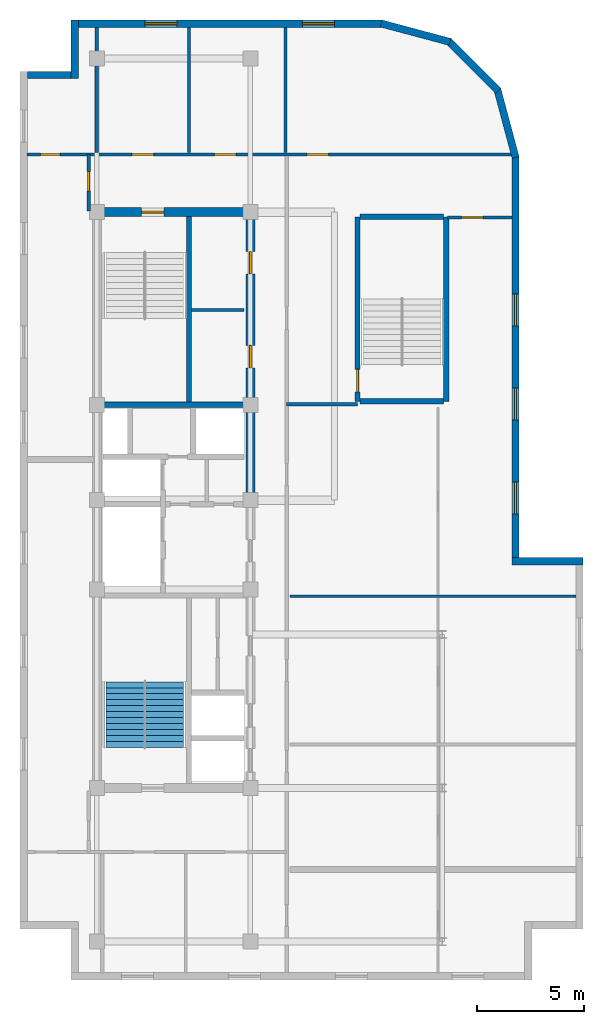
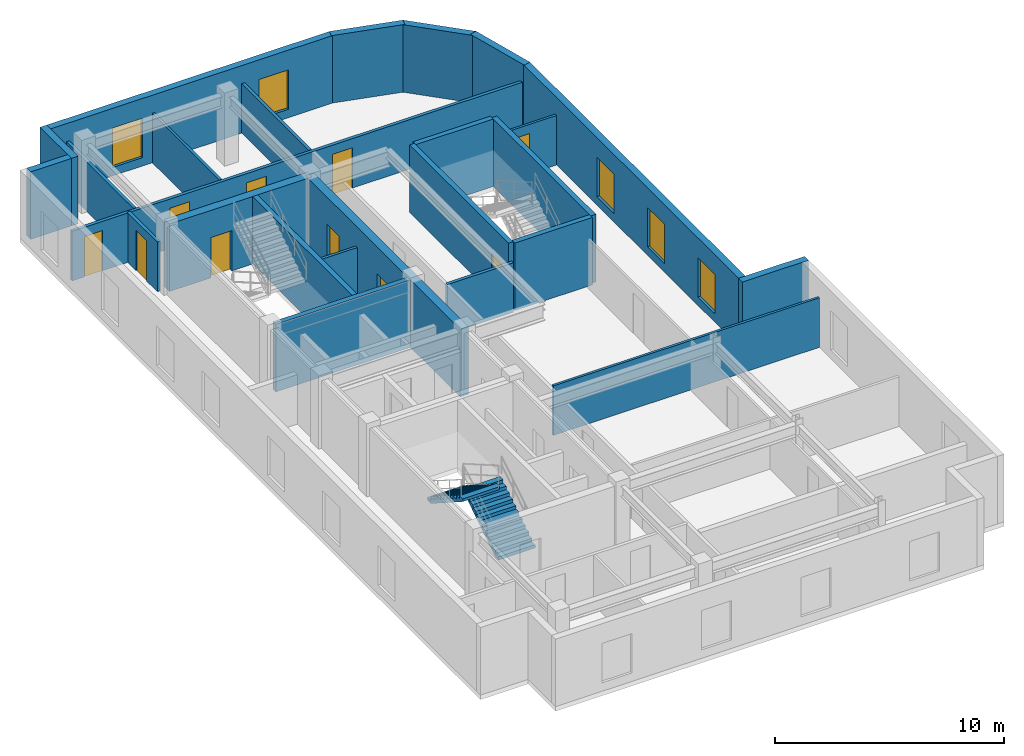
# One storey, part 4 of 6: 25 walls, 10 doors, 5 windows, 2 stair flights, 15 openings, 1 element without a shape of its own.
"""IFC4 building model written with IfcOpenShell, lengths in metres."""

from ifc_helpers import new_model, entity, si_unit, converted_unit, direction, frame, origin_with_axes, origin_2d_with_axis, place, context, subcontext, project, spatial, polyline, rectangle, outline, extrude, material, layer, layer_set, type_object, element, fill, aggregate, save


model = new_model("IFC4")

# Units and contexts
model_context = context("Model", 3, precision=1e-05, world=origin_with_axes(), true_north=direction((0.0, 1.0)))
body_context = subcontext(model_context, "Body", "Model", "MODEL_VIEW")
ifc_project = project(units=[si_unit("LENGTHUNIT", "METRE"), si_unit("AREAUNIT", "SQUARE_METRE"), si_unit("VOLUMEUNIT", "CUBIC_METRE"), converted_unit("PLANEANGLEUNIT", "DEGREE", entity("IfcPlaneAngleMeasure", 0.017453292519943295), si_unit("PLANEANGLEUNIT", "RADIAN"), dimensions=[0, 0, 0, 0, 0, 0, 0]), si_unit("MASSUNIT", "GRAM", prefix="KILO"), si_unit("THERMODYNAMICTEMPERATUREUNIT", "KELVIN")], contexts=[model_context])

# Site, building, storey
site_placement = place(None, origin_with_axes())
site = spatial("IfcSite", under=ifc_project, at=site_placement, CompositionType="ELEMENT")
building_placement = place(site_placement, origin_with_axes())
building = spatial("IfcBuilding", under=site, at=building_placement, Name="Varnlund Millrace Tower", CompositionType="ELEMENT")
storey_placement = place(building_placement, frame((0.0, 0.0, 299.7), z_axis=(0.0, 0.0, 1.0), x_axis=(1.0, 0.0, 0.0)))
storey = spatial("IfcBuildingStorey", under=building, at=storey_placement, Name="L74", CompositionType="ELEMENT", Elevation=299.7)

# Wall, opening, door
ifc_material_1 = material(Name="Concrete C60/75", Category="concrete")
ifc_layer_1 = layer(ifc_material_1, 0.42, Name="Concrete C60/75")
ifc_layer_set_1 = layer_set([ifc_layer_1], Name="Concrete C60/75")
wall_type_1 = type_object("IfcWallType", Name="Type-CoreWall-Shear-420-C60", PredefinedType="SHEAR", material=ifc_layer_set_1)
wall_1_placement = place(storey_placement, frame((11.4, 37.8, 0.0), z_axis=(0.0, 0.0, 1.0), x_axis=(1.0, 0.0, 0.0)))
wall_1 = element("IfcWall", 1, at=wall_1_placement, inside=storey, type_object=wall_type_1, Name="Type-CoreWall-Shear-420-C60", PredefinedType="SHEAR", context=body_context, shape_type="SweptSolid", body=[
    extrude(outline(polyline([(0.0, -0.21), (7.2, -0.21), (7.2, 0.21), (0.0, 0.21), (0.0, -0.21)])), origin_with_axes(), (0.0, 0.0, 1.0), 3.6),
])
opening_1_placement = place(wall_1_placement, frame((2.625, 0.0, 0.0), z_axis=(0.0, 0.0, 1.0), x_axis=(1.0, 0.0, 0.0)))
opening_1 = element("IfcOpeningElement", 2, at=opening_1_placement, cuts=wall_1, Name="Opening L74:DR-STA2", PredefinedType="OPENING", context=body_context, shape_type="SweptSolid", body=[
    extrude(rectangle(XDim=1.05, YDim=0.44, at=origin_2d_with_axis()), origin_with_axes(), (0.0, 0.0, 1.0), 2.15),
])
ifc_material_2 = material(Name="Fire-rated hollow steel door", Category="steel")
door_type_1 = type_object("IfcDoorType", Name="Type-FireDoor-Stair-1050X2150", OperationType="NOTDEFINED", PredefinedType="DOOR", material=ifc_material_2)
door_1_placement = place(wall_1_placement, frame((2.625, 0.0, 0.0), z_axis=(0.0, 0.0, 1.0), x_axis=(1.0, 0.0, 0.0)))
door_1 = element("IfcDoor", 3, at=door_1_placement, inside=storey, type_object=door_type_1, Name="Type-FireDoor-Stair-1050X2150", OperationType="SINGLE_SWING_RIGHT", OverallHeight=2.15, OverallWidth=1.05, PredefinedType="DOOR", context=body_context, shape_type="SweptSolid", body=[
    extrude(rectangle(XDim=1.05, YDim=0.09, at=origin_2d_with_axis()), origin_with_axes(), (0.0, 0.0, 1.0), 2.15),
])
fill(opening_1, door_1)

# Wall, openings, doors
wall_2_placement = place(storey_placement, frame((18.6, 24.3, 0.0), z_axis=(0.0, 0.0, 1.0), x_axis=(0.0, 1.0, 0.0)))
wall_2 = element("IfcWall", 4, at=wall_2_placement, inside=storey, type_object=wall_type_1, Name="Type-CoreWall-Shear-420-C60", PredefinedType="SHEAR", context=body_context, shape_type="SweptSolid", body=[
    extrude(outline(polyline([(0.0, -0.21), (13.5, -0.21), (13.5, 0.21), (0.0, 0.21), (0.0, -0.21)])), origin_with_axes(), (0.0, 0.0, 1.0), 3.6),
])
opening_2_placement = place(wall_2_placement, frame((6.725, 0.0, 0.0), z_axis=(0.0, 0.0, 1.0), x_axis=(1.0, 0.0, 0.0)))
opening_2 = element("IfcOpeningElement", 5, at=opening_2_placement, cuts=wall_2, Name="Opening L74:DR-RECL-M1", PredefinedType="OPENING", context=body_context, shape_type="SweptSolid", body=[
    extrude(rectangle(XDim=1.05, YDim=0.44, at=origin_2d_with_axis()), origin_with_axes(), (0.0, 0.0, 1.0), 2.15),
])
opening_3_placement = place(wall_2_placement, frame((11.125, 0.0, 0.0), z_axis=(0.0, 0.0, 1.0), x_axis=(1.0, 0.0, 0.0)))
opening_3 = element("IfcOpeningElement", 6, at=opening_3_placement, cuts=wall_2, Name="Opening L74:DR-RECL-M2", PredefinedType="OPENING", context=body_context, shape_type="SweptSolid", body=[
    extrude(rectangle(XDim=1.05, YDim=0.44, at=origin_2d_with_axis()), origin_with_axes(), (0.0, 0.0, 1.0), 2.15),
])
ifc_material_3 = material(Name="Smoke-barrier hollow steel fire door", Category="steel")
door_type_2 = type_object("IfcDoorType", Name="Type-FireDoor-Lobby-1050X2150", OperationType="NOTDEFINED", PredefinedType="DOOR", material=ifc_material_3)
door_2_placement = place(wall_2_placement, frame((6.725, 0.0, 0.0), z_axis=(0.0, 0.0, 1.0), x_axis=(1.0, 0.0, 0.0)))
door_2 = element("IfcDoor", 7, at=door_2_placement, inside=storey, type_object=door_type_2, Name="Type-FireDoor-Lobby-1050X2150", OperationType="SINGLE_SWING_LEFT", OverallHeight=2.15, OverallWidth=1.05, PredefinedType="DOOR", context=body_context, shape_type="SweptSolid", body=[
    extrude(rectangle(XDim=1.05, YDim=0.09, at=origin_2d_with_axis()), origin_with_axes(), (0.0, 0.0, 1.0), 2.15),
])
fill(opening_2, door_2)
door_3_placement = place(wall_2_placement, frame((11.125, 0.0, 0.0), z_axis=(0.0, 0.0, 1.0), x_axis=(1.0, 0.0, 0.0)))
door_3 = element("IfcDoor", 8, at=door_3_placement, inside=storey, type_object=door_type_2, Name="Type-FireDoor-Lobby-1050X2150", OperationType="SINGLE_SWING_RIGHT", OverallHeight=2.15, OverallWidth=1.05, PredefinedType="DOOR", context=body_context, shape_type="SweptSolid", body=[
    extrude(rectangle(XDim=1.05, YDim=0.09, at=origin_2d_with_axis()), origin_with_axes(), (0.0, 0.0, 1.0), 2.15),
])
fill(opening_3, door_3)

# Walls
ifc_material_4 = material(Name="Precast concrete C50/60", Category="concrete")
ifc_layer_2 = layer(ifc_material_4, 0.34, Name="Precast concrete C50/60")
ifc_layer_set_2 = layer_set([ifc_layer_2], Name="Precast concrete C50/60")
wall_type_2 = type_object("IfcWallType", Name="Type-ExtWall-Precast-Upper-340", PredefinedType="SOLIDWALL", material=ifc_layer_set_2)
wall_3_placement = place(storey_placement, frame((8.14, 44.23, 0.0), z_axis=(0.0, 0.0, 1.0), x_axis=(1.0, 0.0, 0.0)))
element("IfcWall", 9, at=wall_3_placement, inside=storey, type_object=wall_type_2, Name="Type-ExtWall-Precast-Upper-340", PredefinedType="SOLIDWALL", context=body_context, shape_type="SweptSolid", body=[
    extrude(outline(polyline([(0.0, -0.17), (2.06, -0.17), (2.06, 0.17), (0.0, 0.17), (0.0, -0.17)])), origin_with_axes(), (0.0, 0.0, 1.0), 3.6),
])
wall_4_placement = place(storey_placement, frame((10.37, 44.06, 0.0), z_axis=(0.0, 0.0, 1.0), x_axis=(0.0, 1.0, 0.0)))
element("IfcWall", 10, at=wall_4_placement, inside=storey, type_object=wall_type_2, Name="Type-ExtWall-Precast-Upper-340", PredefinedType="SOLIDWALL", context=body_context, shape_type="SweptSolid", body=[
    extrude(outline(polyline([(0.0, -0.17), (2.74, -0.17), (2.74, 0.17), (0.0, 0.17), (0.0, -0.17)])), origin_with_axes(), (0.0, 0.0, 1.0), 3.6),
])

# Wall, openings, windows
wall_5_placement = place(storey_placement, frame((10.54, 46.63, 0.0), z_axis=(0.0, 0.0, 1.0), x_axis=(1.0, 0.0, 0.0)))
wall_5 = element("IfcWall", 11, at=wall_5_placement, inside=storey, type_object=wall_type_2, Name="Type-ExtWall-Precast-Upper-340", PredefinedType="SOLIDWALL", context=body_context, shape_type="SweptSolid", body=[
    extrude(outline(polyline([(0.0, -0.17), (14.26, -0.17), (14.26, 0.17), (0.0, 0.17), (0.0, -0.17)])), origin_with_axes(), (0.0, 0.0, 1.0), 3.6),
])
opening_4_placement = place(wall_5_placement, frame((3.865, 0.0, 0.45), z_axis=(0.0, 0.0, 1.0), x_axis=(1.0, 0.0, 0.0)))
opening_4 = element("IfcOpeningElement", 12, at=opening_4_placement, cuts=wall_5, Name="Opening L74:WN-12", PredefinedType="OPENING", context=body_context, shape_type="SweptSolid", body=[
    extrude(rectangle(XDim=1.5, YDim=0.36, at=origin_2d_with_axis()), origin_with_axes(), (0.0, 0.0, 1.0), 2.1),
])
opening_5_placement = place(wall_5_placement, frame((11.245, 0.0, 0.45), z_axis=(0.0, 0.0, 1.0), x_axis=(1.0, 0.0, 0.0)))
opening_5 = element("IfcOpeningElement", 13, at=opening_5_placement, cuts=wall_5, Name="Opening L74:WN-13", PredefinedType="OPENING", context=body_context, shape_type="SweptSolid", body=[
    extrude(rectangle(XDim=1.5, YDim=0.36, at=origin_2d_with_axis()), origin_with_axes(), (0.0, 0.0, 1.0), 2.1),
])
ifc_material_5 = material(Name="Argon low-e triple glazing in thermally broken bronze frame", Category="glass")
window_type = type_object("IfcWindowType", Name="Type-Window-Punched-1500X2100", PartitioningType="SINGLE_PANEL", PredefinedType="WINDOW", material=ifc_material_5)
window_1_placement = place(wall_5_placement, frame((3.865, 0.0, 0.45), z_axis=(0.0, 0.0, 1.0), x_axis=(1.0, 0.0, 0.0)))
window_1 = element("IfcWindow", 14, at=window_1_placement, inside=storey, type_object=window_type, Name="Type-Window-Punched-1500X2100", OverallHeight=2.1, OverallWidth=1.5, PredefinedType="WINDOW", context=body_context, shape_type="SweptSolid", body=[
    extrude(rectangle(XDim=1.5, YDim=0.09, at=origin_2d_with_axis()), origin_with_axes(), (0.0, 0.0, 1.0), 2.1),
])
fill(opening_4, window_1)
window_2_placement = place(wall_5_placement, frame((11.245, 0.0, 0.45), z_axis=(0.0, 0.0, 1.0), x_axis=(1.0, 0.0, 0.0)))
window_2 = element("IfcWindow", 15, at=window_2_placement, inside=storey, type_object=window_type, Name="Type-Window-Punched-1500X2100", OverallHeight=2.1, OverallWidth=1.5, PredefinedType="WINDOW", context=body_context, shape_type="SweptSolid", body=[
    extrude(rectangle(XDim=1.5, YDim=0.09, at=origin_2d_with_axis()), origin_with_axes(), (0.0, 0.0, 1.0), 2.1),
])
fill(opening_5, window_2)

# Walls
wall_6_placement = place(storey_placement, frame((24.737, 46.641, 0.0), z_axis=(0.0, 0.0, 1.0), x_axis=(0.965965, -0.258671, 0.0)))
element("IfcWall", 16, at=wall_6_placement, inside=storey, type_object=wall_type_2, Name="Type-ExtWall-Precast-Upper-340", PredefinedType="SOLIDWALL", context=body_context, shape_type="SweptSolid", body=[
    extrude(outline(polyline([(0.0, -0.17), (3.332417, -0.17), (3.332417, 0.17), (0.0, 0.17), (0.0, -0.17)])), origin_with_axes(), (0.0, 0.0, 1.0), 3.6),
])
wall_7_placement = place(storey_placement, frame((27.866, 45.837, 0.0), z_axis=(0.0, 0.0, 1.0), x_axis=(0.707107, -0.707107, 0.0)))
element("IfcWall", 17, at=wall_7_placement, inside=storey, type_object=wall_type_2, Name="Type-ExtWall-Precast-Upper-340", PredefinedType="SOLIDWALL", context=body_context, shape_type="SweptSolid", body=[
    extrude(outline(polyline([(0.0, -0.17), (3.333301, -0.17), (3.333301, 0.17), (0.0, 0.17), (0.0, -0.17)])), origin_with_axes(), (0.0, 0.0, 1.0), 3.6),
])
wall_8_placement = place(storey_placement, frame((30.174, 43.575, 0.0), z_axis=(0.0, 0.0, 1.0), x_axis=(0.258671, -0.965965, 0.0)))
element("IfcWall", 18, at=wall_8_placement, inside=storey, type_object=wall_type_2, Name="Type-ExtWall-Precast-Upper-340", PredefinedType="SOLIDWALL", context=body_context, shape_type="SweptSolid", body=[
    extrude(outline(polyline([(0.0, -0.17), (3.332417, -0.17), (3.332417, 0.17), (0.0, 0.17), (0.0, -0.17)])), origin_with_axes(), (0.0, 0.0, 1.0), 3.6),
])

# Wall, openings, windows
wall_9_placement = place(storey_placement, frame((31.03, 40.42, 0.0), z_axis=(0.0, 0.0, 1.0), x_axis=(0.0, -1.0, 0.0)))
wall_9 = element("IfcWall", 19, at=wall_9_placement, inside=storey, type_object=wall_type_2, Name="Type-ExtWall-Precast-Upper-340", PredefinedType="SOLIDWALL", context=body_context, shape_type="SweptSolid", body=[
    extrude(outline(polyline([(0.0, -0.17), (18.82, -0.17), (18.82, 0.17), (0.0, 0.17), (0.0, -0.17)])), origin_with_axes(), (0.0, 0.0, 1.0), 3.6),
])
opening_6_placement = place(wall_9_placement, frame((7.207, 0.0, 0.45), z_axis=(0.0, 0.0, 1.0), x_axis=(1.0, 0.0, 0.0)))
opening_6 = element("IfcOpeningElement", 20, at=opening_6_placement, cuts=wall_9, Name="Opening L74:WN-14", PredefinedType="OPENING", context=body_context, shape_type="SweptSolid", body=[
    extrude(rectangle(XDim=1.5, YDim=0.36, at=origin_2d_with_axis()), origin_with_axes(), (0.0, 0.0, 1.0), 2.1),
])
opening_7_placement = place(wall_9_placement, frame((11.613, 0.0, 0.45), z_axis=(0.0, 0.0, 1.0), x_axis=(1.0, 0.0, 0.0)))
opening_7 = element("IfcOpeningElement", 21, at=opening_7_placement, cuts=wall_9, Name="Opening L74:WN-15", PredefinedType="OPENING", context=body_context, shape_type="SweptSolid", body=[
    extrude(rectangle(XDim=1.5, YDim=0.36, at=origin_2d_with_axis()), origin_with_axes(), (0.0, 0.0, 1.0), 2.1),
])
opening_8_placement = place(wall_9_placement, frame((16.018, 0.0, 0.45), z_axis=(0.0, 0.0, 1.0), x_axis=(1.0, 0.0, 0.0)))
opening_8 = element("IfcOpeningElement", 22, at=opening_8_placement, cuts=wall_9, Name="Opening L74:WN-16", PredefinedType="OPENING", context=body_context, shape_type="SweptSolid", body=[
    extrude(rectangle(XDim=1.5, YDim=0.36, at=origin_2d_with_axis()), origin_with_axes(), (0.0, 0.0, 1.0), 2.1),
])
window_3_placement = place(wall_9_placement, frame((7.207, 0.0, 0.45), z_axis=(0.0, 0.0, 1.0), x_axis=(1.0, 0.0, 0.0)))
window_3 = element("IfcWindow", 23, at=window_3_placement, inside=storey, type_object=window_type, Name="Type-Window-Punched-1500X2100", OverallHeight=2.1, OverallWidth=1.5, PredefinedType="WINDOW", context=body_context, shape_type="SweptSolid", body=[
    extrude(rectangle(XDim=1.5, YDim=0.09, at=origin_2d_with_axis()), origin_with_axes(), (0.0, 0.0, 1.0), 2.1),
])
fill(opening_6, window_3)
window_4_placement = place(wall_9_placement, frame((11.613, 0.0, 0.45), z_axis=(0.0, 0.0, 1.0), x_axis=(1.0, 0.0, 0.0)))
window_4 = element("IfcWindow", 24, at=window_4_placement, inside=storey, type_object=window_type, Name="Type-Window-Punched-1500X2100", OverallHeight=2.1, OverallWidth=1.5, PredefinedType="WINDOW", context=body_context, shape_type="SweptSolid", body=[
    extrude(rectangle(XDim=1.5, YDim=0.09, at=origin_2d_with_axis()), origin_with_axes(), (0.0, 0.0, 1.0), 2.1),
])
fill(opening_7, window_4)
window_5_placement = place(wall_9_placement, frame((16.018, 0.0, 0.45), z_axis=(0.0, 0.0, 1.0), x_axis=(1.0, 0.0, 0.0)))
window_5 = element("IfcWindow", 25, at=window_5_placement, inside=storey, type_object=window_type, Name="Type-Window-Punched-1500X2100", OverallHeight=2.1, OverallWidth=1.5, PredefinedType="WINDOW", context=body_context, shape_type="SweptSolid", body=[
    extrude(rectangle(XDim=1.5, YDim=0.09, at=origin_2d_with_axis()), origin_with_axes(), (0.0, 0.0, 1.0), 2.1),
])
fill(opening_8, window_5)

# Wall
wall_10_placement = place(storey_placement, frame((30.86, 21.43, 0.0), z_axis=(0.0, 0.0, 1.0), x_axis=(1.0, 0.0, 0.0)))
element("IfcWall", 26, at=wall_10_placement, inside=storey, type_object=wall_type_2, Name="Type-ExtWall-Precast-Upper-340", PredefinedType="SOLIDWALL", context=body_context, shape_type="SweptSolid", body=[
    extrude(outline(polyline([(0.0, -0.17), (3.34, -0.17), (3.34, 0.17), (0.0, 0.17), (0.0, -0.17)])), origin_with_axes(), (0.0, 0.0, 1.0), 3.6),
])

# Wall, openings, doors
ifc_material_6 = material(Name="Fire-rated gypsum board on cold-formed steel framing", Category="steel")
ifc_layer_3 = layer(ifc_material_6, 0.16, Name="Fire-rated gypsum board on cold-formed steel framing")
ifc_layer_set_3 = layer_set([ifc_layer_3], Name="Fire-rated gypsum board on cold-formed steel framing")
wall_type_3 = type_object("IfcWallType", Name="Type-Partition-Corridor-160", PredefinedType="PARTITIONING", material=ifc_layer_set_3)
wall_11_placement = place(storey_placement, frame((8.135, 40.5, 0.0), z_axis=(0.0, 0.0, 1.0), x_axis=(1.0, 0.0, 0.0)))
wall_11 = element("IfcWall", 27, at=wall_11_placement, inside=storey, type_object=wall_type_3, Name="Type-Partition-Corridor-160", PredefinedType="PARTITIONING", context=body_context, shape_type="SweptSolid", body=[
    extrude(outline(polyline([(0.0, -0.08), (22.715, -0.08), (22.715, 0.08), (0.0, 0.08), (0.0, -0.08)])), origin_with_axes(), (0.0, 0.0, 1.0), 2.64),
])
opening_9_placement = place(wall_11_placement, frame((1.08, 0.0, 0.0), z_axis=(0.0, 0.0, 1.0), x_axis=(1.0, 0.0, 0.0)))
opening_9 = element("IfcOpeningElement", 28, at=opening_9_placement, cuts=wall_11, Name="Opening L74:DR-WAN-01", PredefinedType="OPENING", context=body_context, shape_type="SweptSolid", body=[
    extrude(rectangle(XDim=0.9, YDim=0.18, at=origin_2d_with_axis()), origin_with_axes(), (0.0, 0.0, 1.0), 2.15),
])
opening_10_placement = place(wall_11_placement, frame((5.425, 0.0, 0.0), z_axis=(0.0, 0.0, 1.0), x_axis=(1.0, 0.0, 0.0)))
opening_10 = element("IfcOpeningElement", 29, at=opening_10_placement, cuts=wall_11, Name="Opening L74:DR-WAN-02", PredefinedType="OPENING", context=body_context, shape_type="SweptSolid", body=[
    extrude(rectangle(XDim=1.0, YDim=0.18, at=origin_2d_with_axis()), origin_with_axes(), (0.0, 0.0, 1.0), 2.15),
])
opening_11_placement = place(wall_11_placement, frame((9.286, 0.0, 0.0), z_axis=(0.0, 0.0, 1.0), x_axis=(1.0, 0.0, 0.0)))
opening_11 = element("IfcOpeningElement", 30, at=opening_11_placement, cuts=wall_11, Name="Opening L74:DR-WAN-03", PredefinedType="OPENING", context=body_context, shape_type="SweptSolid", body=[
    extrude(rectangle(XDim=1.0, YDim=0.18, at=origin_2d_with_axis()), origin_with_axes(), (0.0, 0.0, 1.0), 2.15),
])
opening_12_placement = place(wall_11_placement, frame((13.621, 0.0, 0.0), z_axis=(0.0, 0.0, 1.0), x_axis=(1.0, 0.0, 0.0)))
opening_12 = element("IfcOpeningElement", 31, at=opening_12_placement, cuts=wall_11, Name="Opening L74:DR-WAN-04", PredefinedType="OPENING", context=body_context, shape_type="SweptSolid", body=[
    extrude(rectangle(XDim=1.0, YDim=0.18, at=origin_2d_with_axis()), origin_with_axes(), (0.0, 0.0, 1.0), 2.15),
])
ifc_material_7 = material(Name="Painted steel riser and closet door", Category="steel")
door_type_3 = type_object("IfcDoorType", Name="Type-IntDoor-Closet-900X2150", OperationType="NOTDEFINED", PredefinedType="DOOR", material=ifc_material_7)
door_4_placement = place(wall_11_placement, frame((1.08, 0.0, 0.0), z_axis=(0.0, 0.0, 1.0), x_axis=(1.0, 0.0, 0.0)))
door_4 = element("IfcDoor", 32, at=door_4_placement, inside=storey, type_object=door_type_3, Name="Type-IntDoor-Closet-900X2150", OperationType="SINGLE_SWING_LEFT", OverallHeight=2.15, OverallWidth=0.9, PredefinedType="DOOR", context=body_context, shape_type="SweptSolid", body=[
    extrude(rectangle(XDim=0.9, YDim=0.09, at=origin_2d_with_axis()), origin_with_axes(), (0.0, 0.0, 1.0), 2.15),
])
fill(opening_9, door_4)
ifc_material_8 = material(Name="Solid-core white oak and bronze frame door")
door_type_4 = type_object("IfcDoorType", Name="Type-IntDoor-Office-1000X2150", OperationType="NOTDEFINED", PredefinedType="DOOR", material=ifc_material_8)
door_5_placement = place(wall_11_placement, frame((5.425, 0.0, 0.0), z_axis=(0.0, 0.0, 1.0), x_axis=(1.0, 0.0, 0.0)))
door_5 = element("IfcDoor", 33, at=door_5_placement, inside=storey, type_object=door_type_4, Name="Type-IntDoor-Office-1000X2150", OperationType="SINGLE_SWING_RIGHT", OverallHeight=2.15, OverallWidth=1.0, PredefinedType="DOOR", context=body_context, shape_type="SweptSolid", body=[
    extrude(rectangle(XDim=1.0, YDim=0.09, at=origin_2d_with_axis()), origin_with_axes(), (0.0, 0.0, 1.0), 2.15),
])
fill(opening_10, door_5)
door_6_placement = place(wall_11_placement, frame((9.286, 0.0, 0.0), z_axis=(0.0, 0.0, 1.0), x_axis=(1.0, 0.0, 0.0)))
door_6 = element("IfcDoor", 34, at=door_6_placement, inside=storey, type_object=door_type_4, Name="Type-IntDoor-Office-1000X2150", OperationType="SINGLE_SWING_LEFT", OverallHeight=2.15, OverallWidth=1.0, PredefinedType="DOOR", context=body_context, shape_type="SweptSolid", body=[
    extrude(rectangle(XDim=1.0, YDim=0.09, at=origin_2d_with_axis()), origin_with_axes(), (0.0, 0.0, 1.0), 2.15),
])
fill(opening_11, door_6)
door_7_placement = place(wall_11_placement, frame((13.621, 0.0, 0.0), z_axis=(0.0, 0.0, 1.0), x_axis=(1.0, 0.0, 0.0)))
door_7 = element("IfcDoor", 35, at=door_7_placement, inside=storey, type_object=door_type_4, Name="Type-IntDoor-Office-1000X2150", OperationType="SINGLE_SWING_RIGHT", OverallHeight=2.15, OverallWidth=1.0, PredefinedType="DOOR", context=body_context, shape_type="SweptSolid", body=[
    extrude(rectangle(XDim=1.0, YDim=0.09, at=origin_2d_with_axis()), origin_with_axes(), (0.0, 0.0, 1.0), 2.15),
])
fill(opening_12, door_7)

# Wall
wall_12_placement = place(storey_placement, frame((20.3, 28.8, 0.0), z_axis=(0.0, 0.0, 1.0), x_axis=(1.0, 0.0, 0.0)))
element("IfcWall", 36, at=wall_12_placement, inside=storey, type_object=wall_type_3, Name="Type-Partition-Corridor-160", PredefinedType="PARTITIONING", context=body_context, shape_type="SweptSolid", body=[
    extrude(outline(polyline([(0.0, -0.08), (3.32, -0.08), (3.32, 0.08), (0.0, 0.08), (0.0, -0.08)])), origin_with_axes(), (0.0, 0.0, 1.0), 2.64),
])

# Wall, opening, door
wall_13_placement = place(storey_placement, frame((11.02, 37.85, 0.0), z_axis=(0.0, 0.0, 1.0), x_axis=(0.0, 1.0, 0.0)))
wall_13 = element("IfcWall", 37, at=wall_13_placement, inside=storey, type_object=wall_type_3, Name="Type-Partition-Corridor-160", PredefinedType="PARTITIONING", context=body_context, shape_type="SweptSolid", body=[
    extrude(outline(polyline([(0.0, -0.08), (2.65, -0.08), (2.65, 0.08), (0.0, 0.08), (0.0, -0.08)])), origin_with_axes(), (0.0, 0.0, 1.0), 2.64),
])
opening_13_placement = place(wall_13_placement, frame((1.4, 0.0, 0.0), z_axis=(0.0, 0.0, 1.0), x_axis=(1.0, 0.0, 0.0)))
opening_13 = element("IfcOpeningElement", 38, at=opening_13_placement, cuts=wall_13, Name="Opening L74:DR-WU-N1", PredefinedType="OPENING", context=body_context, shape_type="SweptSolid", body=[
    extrude(rectangle(XDim=0.9, YDim=0.18, at=origin_2d_with_axis()), origin_with_axes(), (0.0, 0.0, 1.0), 2.15),
])
door_8_placement = place(wall_13_placement, frame((1.4, 0.0, 0.0), z_axis=(0.0, 0.0, 1.0), x_axis=(1.0, 0.0, 0.0)))
door_8 = element("IfcDoor", 39, at=door_8_placement, inside=storey, type_object=door_type_3, Name="Type-IntDoor-Closet-900X2150", OperationType="SINGLE_SWING_RIGHT", OverallHeight=2.15, OverallWidth=0.9, PredefinedType="DOOR", context=body_context, shape_type="SweptSolid", body=[
    extrude(rectangle(XDim=0.9, YDim=0.09, at=origin_2d_with_axis()), origin_with_axes(), (0.0, 0.0, 1.0), 2.15),
])
fill(opening_13, door_8)

# Walls
ifc_material_9 = material(Name="Acoustic STC-50 gypsum board partition", Category="gypsum")
ifc_layer_4 = layer(ifc_material_9, 0.15, Name="Acoustic STC-50 gypsum board partition")
ifc_layer_set_4 = layer_set([ifc_layer_4], Name="Acoustic STC-50 gypsum board partition")
wall_type_4 = type_object("IfcWallType", Name="Type-Partition-Demising-150", PredefinedType="PARTITIONING", material=ifc_layer_set_4)
for number, where, z_axis, x_axis, name in (
    (40, (11.4, 40.6, 0.0), (0.0, 0.0, 1.0), (0.0, 1.0, 0.0), "Type-Partition-Demising-150"),
    (41, (20.242, 40.6, 0.0), (0.0, 0.0, 1.0), (0.0, 1.0, 0.0), "Type-Partition-Demising-150"),
):
    element("IfcWall", number, at=place(storey_placement, frame(where, z_axis=z_axis, x_axis=x_axis)), inside=storey, type_object=wall_type_4, Name=name, PredefinedType="PARTITIONING", context=body_context, shape_type="SweptSolid", body=[
        extrude(outline(polyline([(0.0, -0.075), (5.865, -0.075), (5.865, 0.075), (0.0, 0.075), (0.0, -0.075)])), origin_with_axes(), (0.0, 0.0, 1.0), 2.64),
    ])
ifc_material_10 = material(Name="Gypsum board tenant partition", Category="gypsum")
ifc_layer_5 = layer(ifc_material_10, 0.125, Name="Gypsum board tenant partition")
ifc_layer_set_5 = layer_set([ifc_layer_5], Name="Gypsum board tenant partition")
wall_type_5 = type_object("IfcWallType", Name="Type-Partition-Tenant-125", PredefinedType="PARTITIONING", material=ifc_layer_set_5)
wall_14_placement = place(storey_placement, frame((15.72, 40.6, 0.0), z_axis=(0.0, 0.0, 1.0), x_axis=(0.0, 1.0, 0.0)))
element("IfcWall", 42, at=wall_14_placement, inside=storey, type_object=wall_type_5, Name="Type-Partition-Tenant-125", PredefinedType="PARTITIONING", context=body_context, shape_type="SweptSolid", body=[
    extrude(outline(polyline([(0.0, -0.0625), (5.865, -0.0625), (5.865, 0.0625), (0.0, 0.0625), (0.0, -0.0625)])), origin_with_axes(), (0.0, 0.0, 1.0), 2.64),
])
wall_15_placement = place(storey_placement, frame((20.45, 19.789, 0.0), z_axis=(0.0, 0.0, 1.0), x_axis=(1.0, 0.0, 0.0)))
element("IfcWall", 43, at=wall_15_placement, inside=storey, type_object=wall_type_5, Name="Type-Partition-Tenant-125", PredefinedType="PARTITIONING", context=body_context, shape_type="SweptSolid", body=[
    extrude(outline(polyline([(0.0, -0.0625), (13.415, -0.0625), (13.415, 0.0625), (0.0, 0.0625), (0.0, -0.0625)])), origin_with_axes(), (0.0, 0.0, 1.0), 2.64),
])

# Wall, opening, door
wall_16_placement = place(storey_placement, frame((27.85, 37.55, 0.0), z_axis=(0.0, 0.0, 1.0), x_axis=(1.0, 0.0, 0.0)))
wall_16 = element("IfcWall", 44, at=wall_16_placement, inside=storey, type_object=wall_type_5, Name="Type-Partition-Tenant-125", PredefinedType="PARTITIONING", context=body_context, shape_type="SweptSolid", body=[
    extrude(outline(polyline([(0.0, -0.0625), (3.015, -0.0625), (3.015, 0.0625), (0.0, 0.0625), (0.0, -0.0625)])), origin_with_axes(), (0.0, 0.0, 1.0), 2.64),
])
opening_14_placement = place(wall_16_placement, frame((1.15, 0.0, 0.0), z_axis=(0.0, 0.0, 1.0), x_axis=(1.0, 0.0, 0.0)))
opening_14 = element("IfcOpeningElement", 45, at=opening_14_placement, cuts=wall_16, Name="Opening L74:DR-SUM-N", PredefinedType="OPENING", context=body_context, shape_type="SweptSolid", body=[
    extrude(rectangle(XDim=1.0, YDim=0.145, at=origin_2d_with_axis()), origin_with_axes(), (0.0, 0.0, 1.0), 2.15),
])
door_9_placement = place(wall_16_placement, frame((1.15, 0.0, 0.0), z_axis=(0.0, 0.0, 1.0), x_axis=(1.0, 0.0, 0.0)))
door_9 = element("IfcDoor", 46, at=door_9_placement, inside=storey, type_object=door_type_4, Name="Type-IntDoor-Office-1000X2150", OperationType="SINGLE_SWING_LEFT", OverallHeight=2.15, OverallWidth=1.0, PredefinedType="DOOR", context=body_context, shape_type="SweptSolid", body=[
    extrude(rectangle(XDim=1.0, YDim=0.075, at=origin_2d_with_axis()), origin_with_axes(), (0.0, 0.0, 1.0), 2.15),
])
fill(opening_14, door_9)

# Walls
ifc_material_11 = material(Name="Moisture-resistant gypsum restroom partition", Category="gypsum")
ifc_layer_6 = layer(ifc_material_11, 0.14, Name="Moisture-resistant gypsum restroom partition")
ifc_layer_set_6 = layer_set([ifc_layer_6], Name="Moisture-resistant gypsum restroom partition")
wall_type_6 = type_object("IfcWallType", Name="Type-Partition-Wet-140", PredefinedType="PARTITIONING", material=ifc_layer_set_6)
wall_17_placement = place(storey_placement, frame((15.84, 33.2, 0.0), z_axis=(0.0, 0.0, 1.0), x_axis=(1.0, 0.0, 0.0)))
element("IfcWall", 47, at=wall_17_placement, inside=storey, type_object=wall_type_6, Name="Type-Partition-Wet-140", PredefinedType="PARTITIONING", context=body_context, shape_type="SweptSolid", body=[
    extrude(outline(polyline([(0.0, -0.07), (2.46, -0.07), (2.46, 0.07), (0.0, 0.07), (0.0, -0.07)])), origin_with_axes(), (0.0, 0.0, 1.0), 2.64),
])
ifc_layer_7 = layer(ifc_material_1, 0.25, Name="Concrete C60/75")
ifc_layer_set_7 = layer_set([ifc_layer_7], Name="Concrete C60/75")
wall_type_7 = type_object("IfcWallType", Name="Type-StairWall-Shear-250", PredefinedType="SHEAR", material=ifc_layer_set_7)
wall_18_placement = place(storey_placement, frame((15.725, 28.9, 0.0), z_axis=(0.0, 0.0, 1.0), x_axis=(0.0, 1.0, 0.0)))
element("IfcWall", 48, at=wall_18_placement, inside=storey, type_object=wall_type_7, Name="Type-StairWall-Shear-250", PredefinedType="SHEAR", context=body_context, shape_type="SweptSolid", body=[
    extrude(outline(polyline([(0.0, -0.125), (8.69, -0.125), (8.69, 0.125), (0.0, 0.125), (0.0, -0.125)])), origin_with_axes(), (0.0, 0.0, 1.0), 3.6),
])
wall_19_placement = place(storey_placement, frame((11.61, 28.775, 0.0), z_axis=(0.0, 0.0, 1.0), x_axis=(1.0, 0.0, 0.0)))
element("IfcWall", 49, at=wall_19_placement, inside=storey, type_object=wall_type_7, Name="Type-StairWall-Shear-250", PredefinedType="SHEAR", context=body_context, shape_type="SweptSolid", body=[
    extrude(outline(polyline([(0.0, -0.125), (6.78, -0.125), (6.78, 0.125), (0.0, 0.125), (0.0, -0.125)])), origin_with_axes(), (0.0, 0.0, 1.0), 3.6),
])

# Wall, opening, door
wall_20_placement = place(storey_placement, frame((23.625, 28.925, 0.0), z_axis=(0.0, 0.0, 1.0), x_axis=(0.0, 1.0, 0.0)))
wall_20 = element("IfcWall", 50, at=wall_20_placement, inside=storey, type_object=wall_type_7, Name="Type-StairWall-Shear-250", PredefinedType="SHEAR", context=body_context, shape_type="SweptSolid", body=[
    extrude(outline(polyline([(0.0, -0.125), (8.65, -0.125), (8.65, 0.125), (0.0, 0.125), (0.0, -0.125)])), origin_with_axes(), (0.0, 0.0, 1.0), 3.6),
])
opening_15_placement = place(wall_20_placement, frame((0.975, 0.0, 0.0), z_axis=(0.0, 0.0, 1.0), x_axis=(1.0, 0.0, 0.0)))
opening_15 = element("IfcOpeningElement", 51, at=opening_15_placement, cuts=wall_20, Name="Opening L74:DR-STA3", PredefinedType="OPENING", context=body_context, shape_type="SweptSolid", body=[
    extrude(rectangle(XDim=1.05, YDim=0.27, at=origin_2d_with_axis()), origin_with_axes(), (0.0, 0.0, 1.0), 2.15),
])
door_10_placement = place(wall_20_placement, frame((0.975, 0.0, 0.0), z_axis=(0.0, 0.0, 1.0), x_axis=(1.0, 0.0, 0.0)))
door_10 = element("IfcDoor", 52, at=door_10_placement, inside=storey, type_object=door_type_1, Name="Type-FireDoor-Stair-1050X2150", OperationType="SINGLE_SWING_LEFT", OverallHeight=2.15, OverallWidth=1.05, PredefinedType="DOOR", context=body_context, shape_type="SweptSolid", body=[
    extrude(rectangle(XDim=1.05, YDim=0.09, at=origin_2d_with_axis()), origin_with_axes(), (0.0, 0.0, 1.0), 2.15),
])
fill(opening_15, door_10)

# Walls
wall_21_placement = place(storey_placement, frame((27.775, 28.925, 0.0), z_axis=(0.0, 0.0, 1.0), x_axis=(0.0, 1.0, 0.0)))
element("IfcWall", 53, at=wall_21_placement, inside=storey, type_object=wall_type_7, Name="Type-StairWall-Shear-250", PredefinedType="SHEAR", context=body_context, shape_type="SweptSolid", body=[
    extrude(outline(polyline([(0.0, -0.125), (8.65, -0.125), (8.65, 0.125), (0.0, 0.125), (0.0, -0.125)])), origin_with_axes(), (0.0, 0.0, 1.0), 3.6),
])
for number, where, z_axis, x_axis, name in (
    (54, (23.75, 28.925, 0.0), (0.0, 0.0, 1.0), (1.0, 0.0, 0.0), "Type-StairWall-Shear-250"),
    (55, (23.75, 37.575, 0.0), (0.0, 0.0, 1.0), (1.0, 0.0, 0.0), "Type-StairWall-Shear-250"),
):
    element("IfcWall", number, at=place(storey_placement, frame(where, z_axis=z_axis, x_axis=x_axis)), inside=storey, type_object=wall_type_7, Name=name, PredefinedType="SHEAR", context=body_context, shape_type="SweptSolid", body=[
        extrude(outline(polyline([(0.0, -0.125), (3.9, -0.125), (3.9, 0.125), (0.0, 0.125), (0.0, -0.125)])), origin_with_axes(), (0.0, 0.0, 1.0), 3.6),
    ])

# Stair, stair flights
ifc_material_12 = material(Name="Concrete C50/60", Category="concrete")
stair_type = type_object("IfcStairType", Name="Type-Stair-Dogleg-185-390", PredefinedType="HALF_TURN_STAIR", material=ifc_material_12)
stair_placement = place(storey_placement, origin_with_axes())
stair = element("IfcStair", 56, at=stair_placement, inside=storey, type_object=stair_type, Name="Type-Stair-Dogleg-185-390", PredefinedType="HALF_TURN_STAIR")
stair_flight_type = type_object("IfcStairFlightType", Name="Type-Dogleg-Run-185-390", PredefinedType="STRAIGHT", material=ifc_material_4)
stair_flight_1_placement = place(storey_placement, frame((13.625, 12.7, 0.0), z_axis=(1.0, 0.0, 0.0), x_axis=(0.0, 1.0, 0.0)))
stair_flight_1 = element("IfcStairFlight", 57, at=stair_flight_1_placement, type_object=stair_flight_type, Name="ST-A1 flight 1", NumberOfRisers=11, NumberOfTreads=11, PredefinedType="STRAIGHT", RiserHeight=0.177273, TreadLength=0.28, context=body_context, shape_type="SweptSolid", body=[
    extrude(outline(polyline([(0.0, 0.0), (0.0, 0.177273), (0.28, 0.177273), (0.28, 0.354545), (0.56, 0.354545), (0.56, 0.531818), (0.84, 0.531818), (0.84, 0.709091), (1.12, 0.709091), (1.12, 0.886364), (1.4, 0.886364), (1.4, 1.063636), (1.68, 1.063636), (1.68, 1.240909), (1.96, 1.240909), (1.96, 1.418182), (2.24, 1.418182), (2.24, 1.595454), (2.52, 1.595454), (2.52, 1.772727), (2.8, 1.772727), (2.8, 1.95), (3.08, 1.95), (3.08, 1.8), (0.28, 0.0), (0.0, 0.0)])), origin_with_axes(), (0.0, 0.0, 1.0), 1.85),
])
stair_flight_2_placement = place(storey_placement, frame((13.675, 15.78, 1.95), z_axis=(-1.0, 0.0, 0.0), x_axis=(0.0, -1.0, 0.0)))
stair_flight_2 = element("IfcStairFlight", 58, at=stair_flight_2_placement, type_object=stair_flight_type, Name="ST-A1 flight 2", NumberOfRisers=11, NumberOfTreads=11, PredefinedType="STRAIGHT", RiserHeight=0.177273, TreadLength=0.28, context=body_context, shape_type="SweptSolid", body=[
    extrude(outline(polyline([(0.0, 0.0), (0.0, 0.177273), (0.28, 0.177273), (0.28, 0.354545), (0.56, 0.354545), (0.56, 0.531818), (0.84, 0.531818), (0.84, 0.709091), (1.12, 0.709091), (1.12, 0.886364), (1.4, 0.886364), (1.4, 1.063636), (1.68, 1.063636), (1.68, 1.240909), (1.96, 1.240909), (1.96, 1.418182), (2.24, 1.418182), (2.24, 1.595454), (2.52, 1.595454), (2.52, 1.772727), (2.8, 1.772727), (2.8, 1.95), (3.08, 1.95), (3.08, 1.8), (0.28, 0.0), (0.0, 0.0)])), origin_with_axes(), (0.0, 0.0, 1.0), 1.85),
])
aggregate(stair, [stair_flight_1, stair_flight_2])

save(model, "model.ifc")
